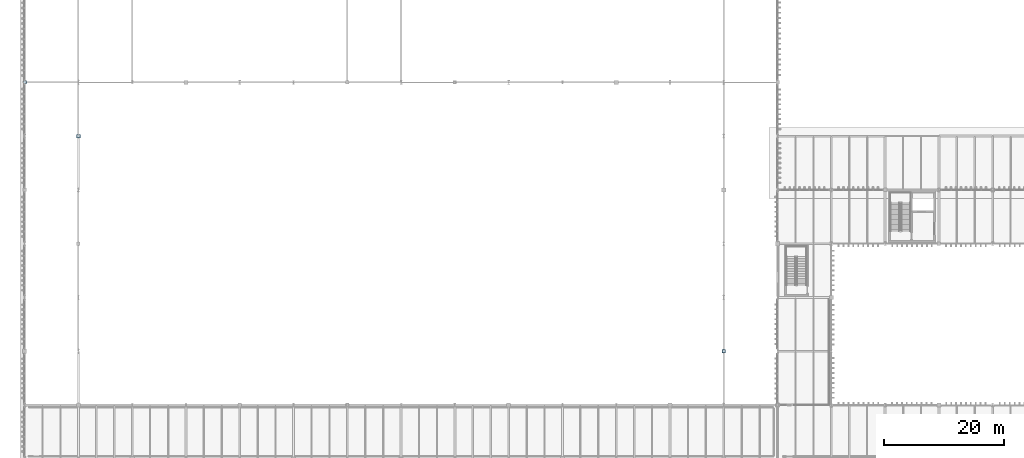
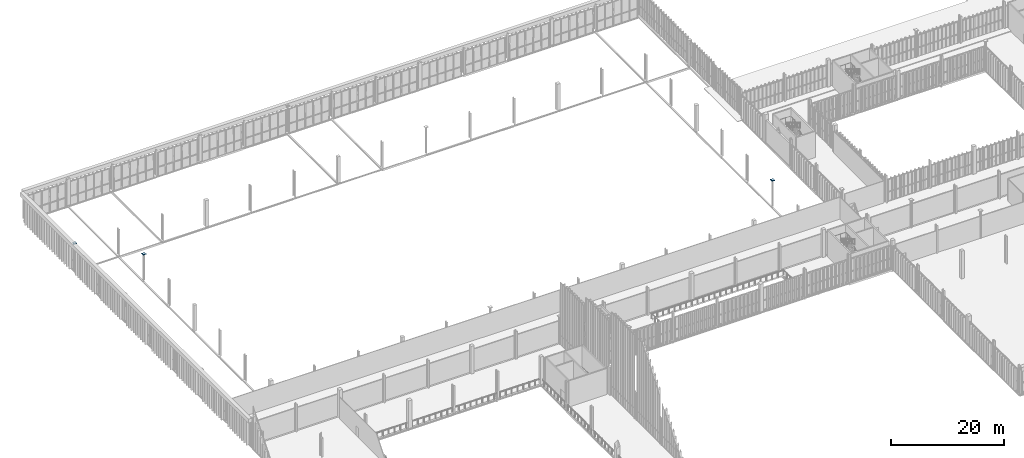
# One storey, part 201 of 237: 3 plates.
"""IFC4 building model written with IfcOpenShell, lengths in metres."""

from ifc_helpers import new_model, si_unit, direction, frame, origin, origin_2d, place, context, subcontext, project, spatial, rectangle, extrude, material, layer, layer_set, type_object, element, save


model = new_model("IFC4")

# Units and contexts
model_context = context("Model", 3, precision=1e-05, world=origin(), true_north=direction((0.0, 1.0)))
body_context = subcontext(model_context, "Body", "Model", "MODEL_VIEW")
ifc_project = project(units=[si_unit("LENGTHUNIT", "METRE"), si_unit("AREAUNIT", "SQUARE_METRE"), si_unit("VOLUMEUNIT", "CUBIC_METRE"), si_unit("PLANEANGLEUNIT", "RADIAN"), si_unit("MASSUNIT", "GRAM", prefix="KILO")], contexts=[model_context])

# Site, building, storey
site_placement = place(None, origin())
site = spatial("IfcSite", under=ifc_project, at=site_placement, CompositionType="ELEMENT")
building_placement = place(site_placement, origin())
building = spatial("IfcBuilding", under=site, at=building_placement, Name="Barlavento Convention Centre", CompositionType="ELEMENT")
storey_placement = place(building_placement, frame((0.0, 0.0, 12.0)))
storey = spatial("IfcBuildingStorey", under=building, at=storey_placement, Name="L02", CompositionType="ELEMENT", Elevation=12.0)

# Plates
ifc_material = material(Name="Steel S355", Category="steel")
ifc_layer = layer(ifc_material, 0.06005859375)
ifc_layer_set = layer_set([ifc_layer], Name="STR-PLT-CAP-620")
plate_type = type_object("IfcPlateType", Name="STR-PLT-CAP-620", PredefinedType="SHEET", material=ifc_layer_set)
for number, where, z_axis, x_axis, name in (
    (1, (0.0, 117.0, 5.625), (0.0, 0.0, 1.0), (1.0, 0.0, 0.0), "Hollow column sealing end-cap plate EC04"),
    (2, (9.0, 108.0, 5.625), (0.0, 0.0, 1.0), (1.0, 0.0, 0.0), "Hollow column sealing end-cap plate EC04"),
    (3, (117.0, 72.0, 5.625), (0.0, 0.0, 1.0), (1.0, 0.0, 0.0), "Hollow column sealing end-cap plate EC04"),
):
    element("IfcPlate", number, at=place(storey_placement, frame(where, z_axis=z_axis, x_axis=x_axis)), inside=storey, type_object=plate_type, Name=name, PredefinedType="SHEET", context=body_context, shape_type="SweptSolid", body=[
        extrude(rectangle(XDim=0.6201171875, YDim=0.6201171875, at=origin_2d()), origin(), (0.0, 0.0, 1.0), 0.06005859375),
    ])

save(model, "model.ifc")
